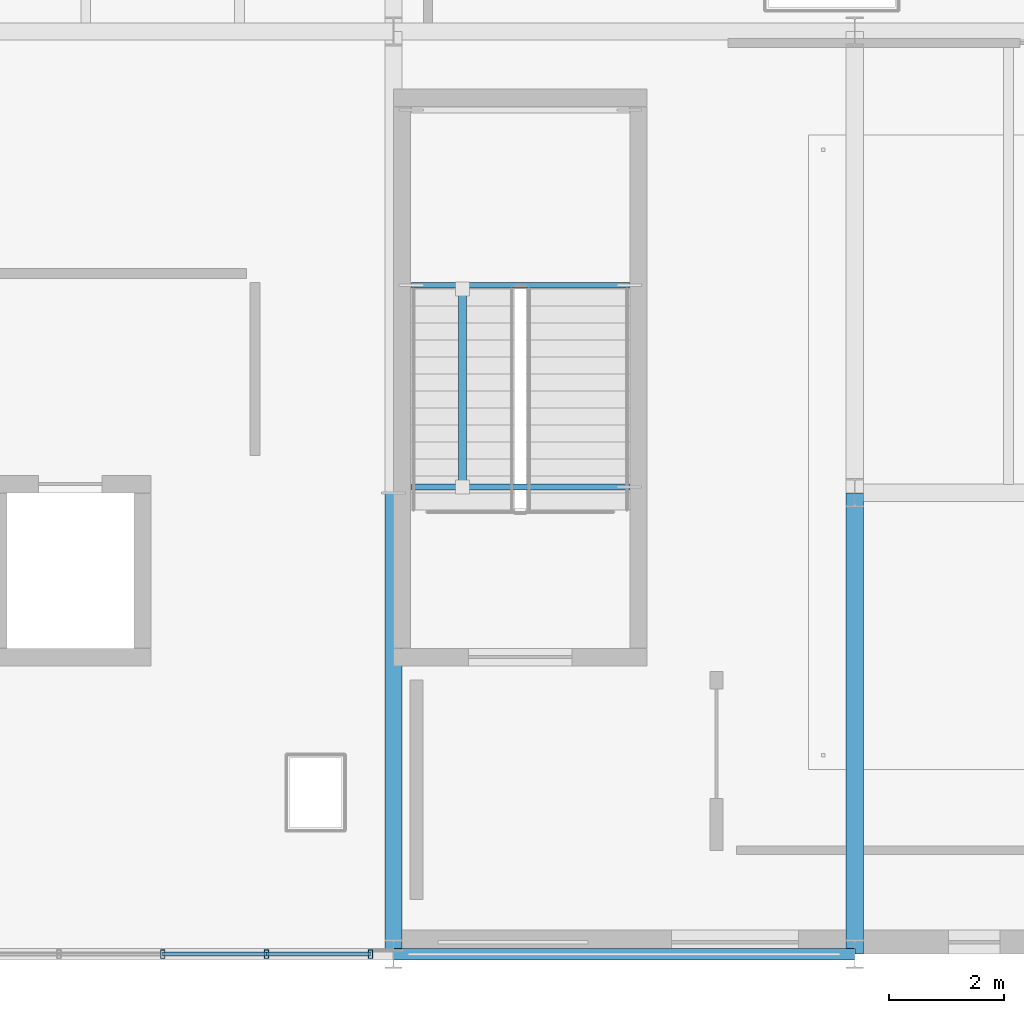
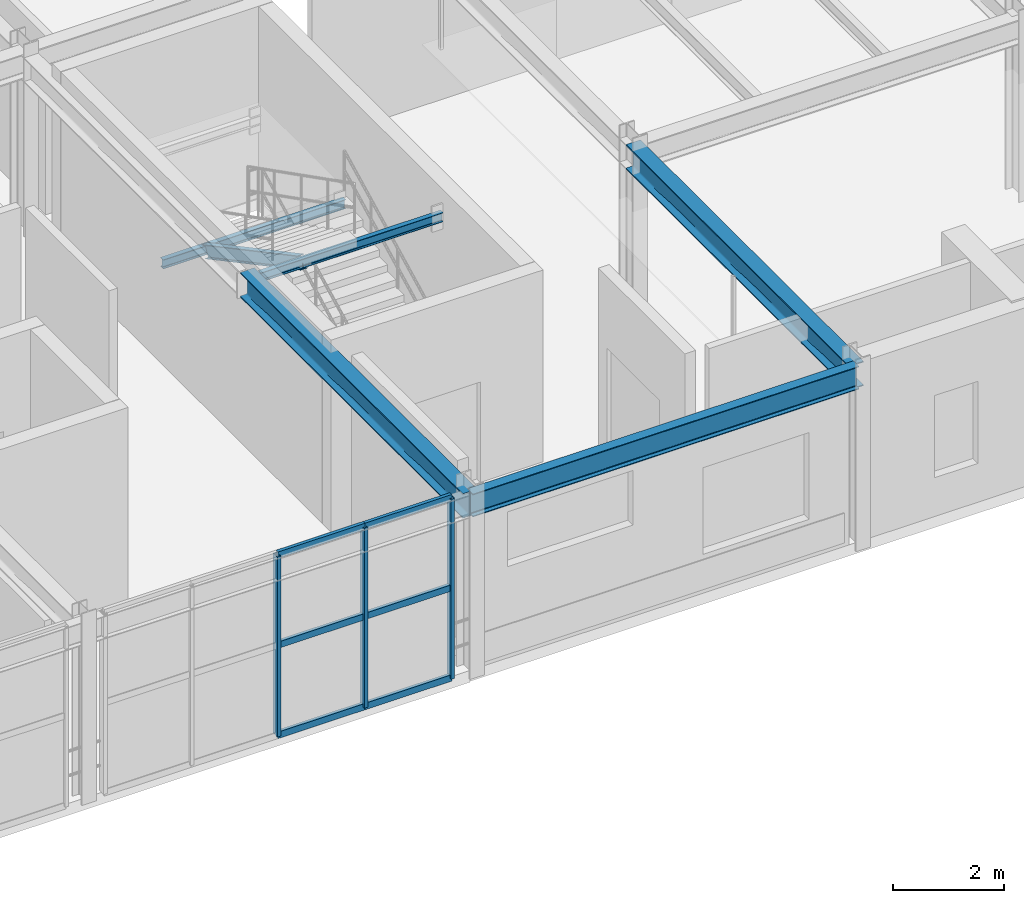
# One storey, part 28 of 122: 10 members, 5 beams, 1 element without a shape of its own.
"""IFC4 building model written with IfcOpenShell, lengths in metres."""

from ifc_helpers import new_model, si_unit, direction, frame, origin, origin_2d, place, context, subcontext, project, spatial, hollow_rectangle, i_section, extrude, material, material_profile, profile_set, type_object, element, aggregate, save


model = new_model("IFC4")

# Units and contexts
model_context = context("Model", 3, precision=1e-05, world=origin(), true_north=direction((0.0, 1.0)))
body_context = subcontext(model_context, "Body", "Model", "MODEL_VIEW")
ifc_project = project(units=[si_unit("LENGTHUNIT", "METRE"), si_unit("AREAUNIT", "SQUARE_METRE"), si_unit("VOLUMEUNIT", "CUBIC_METRE"), si_unit("PLANEANGLEUNIT", "RADIAN"), si_unit("MASSUNIT", "GRAM", prefix="KILO")], contexts=[model_context])

# Site, building, storey
site_placement = place(None, origin())
site = spatial("IfcSite", under=ifc_project, at=site_placement, CompositionType="ELEMENT")
building_placement = place(site_placement, origin())
building = spatial("IfcBuilding", under=site, at=building_placement, Name="Sundkrona Museum", CompositionType="ELEMENT")
storey_placement = place(building_placement, frame((0.0, 0.0, 5.39990234375)))
storey = spatial("IfcBuildingStorey", under=building, at=storey_placement, Name="L01", CompositionType="ELEMENT", Elevation=5.39990234375)

# Beams
ifc_material_1 = material(Name="Steel S355J2", Category="steel")
ifc_material_profile_1 = material_profile(ifc_material_1, i_section(OverallWidth=0.300048828125, OverallDepth=0.5400390625, WebThickness=0.012451171875, FlangeThickness=0.02392578125, FilletRadius=0.027099609375, at=origin_2d()), Name="HEA 550")
ifc_profile_set_1 = profile_set([ifc_material_profile_1], Name="Steel S355J2")
beam_type_1 = type_object("IfcBeamType", Name="B-HEA550", PredefinedType="BEAM", material=ifc_profile_set_1)
for number, where, z_axis, x_axis, name in (
    (1, (120.0, 0.0, 3.650146484375), (0.0, 1.0, 0.0), (-1.0, 0.0, 0.0), "L01 Girder Y-1042"),
    (2, (128.0, 0.0, 3.650146484375), (0.0, 1.0, 0.0), (-1.0, 0.0, 0.0), "L01 Girder Y-1049"),
):
    element("IfcBeam", number, at=place(storey_placement, frame(where, z_axis=z_axis, x_axis=x_axis)), inside=storey, type_object=beam_type_1, Name=name, PredefinedType="BEAM", context=body_context, shape_type="SweptSolid", body=[
        extrude(i_section(OverallWidth=0.300048828125, OverallDepth=0.5400390625, WebThickness=0.012451171875, FlangeThickness=0.02392578125, FilletRadius=0.027099609375, at=origin_2d()), origin(), (0.0, 0.0, 1.0), 8.0),
    ])

# Member
ifc_material_profile_2 = material_profile(ifc_material_1, i_section(OverallWidth=0.135009765625, OverallDepth=0.27001953125, WebThickness=0.006591796875, FlangeThickness=0.01025390625, FilletRadius=0.014892578125, at=origin_2d()), Name="IPE 270")
ifc_profile_set_2 = profile_set([ifc_material_profile_2], Name="Steel S355J2")
member_type_1 = type_object("IfcMemberType", Name="BR-IPE270", PredefinedType="BRACE", material=ifc_profile_set_2)
member_1_placement = place(storey_placement, frame((121.199951171875, 11.534912109375, 1.780029296875), z_axis=(0.0, -0.882182779908, 0.470907148846), x_axis=(1.0, 0.0, 0.0)))
element("IfcMember", 3, at=member_1_placement, inside=storey, type_object=member_type_1, Name="SRK-1 L01 ST-2 Flight 2 Inclined Carriage Raker", PredefinedType="BRACE", context=body_context, shape_type="SweptSolid", body=[
    extrude(i_section(OverallWidth=0.135009765625, OverallDepth=0.27001953125, WebThickness=0.006591796875, FlangeThickness=0.01025390625, FilletRadius=0.014892578125, at=origin_2d()), origin(), (0.0, 0.0, 1.0), 3.8935546875),
])

# Beams
ifc_material_profile_3 = material_profile(ifc_material_1, i_section(OverallWidth=0.10009765625, OverallDepth=0.199951171875, WebThickness=0.005615234375, FlangeThickness=0.008544921875, FilletRadius=0.011962890625, at=origin_2d()), Name="IPE 200")
ifc_profile_set_3 = profile_set([ifc_material_profile_3], Name="Steel S355J2")
beam_type_2 = type_object("IfcBeamType", Name="J-IPE200", PredefinedType="JOIST", material=ifc_profile_set_3)
for number, where, z_axis, x_axis, name in (
    (4, (120.31005859375, 11.598388671875, 1.780029296875), (1.0, 0.0, 0.0), (0.0, 1.0, 0.0), "L01 ST-2 Mid-Landing Trimmer Beam 1A"),
    (5, (120.31005859375, 8.10009765625, 3.613525390625), (1.0, 0.0, 0.0), (0.0, 1.0, 0.0), "L01 ST-2 Flight 2 Arrival Header Beam"),
):
    element("IfcBeam", number, at=place(storey_placement, frame(where, z_axis=z_axis, x_axis=x_axis)), inside=storey, type_object=beam_type_2, Name=name, PredefinedType="JOIST", context=body_context, shape_type="SweptSolid", body=[
        extrude(i_section(OverallWidth=0.10009765625, OverallDepth=0.199951171875, WebThickness=0.005615234375, FlangeThickness=0.008544921875, FilletRadius=0.011962890625, at=origin_2d()), origin(), (0.0, 0.0, 1.0), 3.780029296875),
    ])

# Curtain wall, members
ifc_material_2 = material(Name="Unitised Aluminium-Steel and Ceramic-Clad Curtain Walling", Category="steel")
curtain_wall_type = type_object("IfcCurtainWallType", Name="CW-AT-72x38", PredefinedType="NOTDEFINED", material=ifc_material_2)
curtain_wall_placement = place(storey_placement, origin())
curtain_wall = element("IfcCurtainWall", 6, at=curtain_wall_placement, inside=storey, type_object=curtain_wall_type, Name="L01 Curtain Wall CW-L01-032", PredefinedType="NOTDEFINED")
ifc_material_3 = material(Name="Aluminium EN AW-6060 T66", Category="aluminium")
ifc_material_profile_4 = material_profile(ifc_material_3, hollow_rectangle(XDim=0.074951171875, YDim=0.14990234375, WallThickness=0.00634765625, at=origin_2d()), Name="RHS 150x75x6.3")
ifc_profile_set_4 = profile_set([ifc_material_profile_4], Name="Aluminium EN AW-6060 T66")
member_type_2 = type_object("IfcMemberType", Name="ML-150", PredefinedType="MULLION", material=ifc_profile_set_4)
member_2_placement = place(storey_placement, frame((116.0, 0.0, -0.00390625), z_axis=(0.0, 0.0, 1.0), x_axis=(1.0, 0.0, 0.0)))
member_2 = element("IfcMember", 7, at=member_2_placement, type_object=member_type_2, Name="CW-L01-032 Mullion 03", PredefinedType="MULLION", context=body_context, shape_type="SweptSolid", body=[
    extrude(hollow_rectangle(XDim=0.074951171875, YDim=0.14990234375, WallThickness=0.00634765625, at=origin_2d()), origin(), (0.0, 0.0, 1.0), 3.947998046875),
])
member_3_placement = place(storey_placement, frame((117.800048828125, 0.0, -0.00390625), z_axis=(0.0, 0.0, 1.0), x_axis=(1.0, 0.0, 0.0)))
member_3 = element("IfcMember", 8, at=member_3_placement, type_object=member_type_2, Name="CW-L01-032 Mullion 04", PredefinedType="MULLION", context=body_context, shape_type="SweptSolid", body=[
    extrude(hollow_rectangle(XDim=0.074951171875, YDim=0.14990234375, WallThickness=0.00634765625, at=origin_2d()), origin(), (0.0, 0.0, 1.0), 3.947998046875),
])
member_4_placement = place(storey_placement, frame((119.60009765625, 0.0, -0.00390625), z_axis=(0.0, 0.0, 1.0), x_axis=(1.0, 0.0, 0.0)))
member_4 = element("IfcMember", 9, at=member_4_placement, type_object=member_type_2, Name="CW-L01-032 Mullion 05", PredefinedType="MULLION", context=body_context, shape_type="SweptSolid", body=[
    extrude(hollow_rectangle(XDim=0.074951171875, YDim=0.14990234375, WallThickness=0.00634765625, at=origin_2d()), origin(), (0.0, 0.0, 1.0), 3.947998046875),
])

# Beam
ifc_material_profile_5 = material_profile(ifc_material_1, i_section(OverallWidth=0.199951171875, OverallDepth=0.5, WebThickness=0.01025390625, FlangeThickness=0.01611328125, FilletRadius=0.02099609375, at=origin_2d()), Name="IPE 500")
ifc_profile_set_5 = profile_set([ifc_material_profile_5], Name="Steel S355J2")
beam_type_3 = type_object("IfcBeamType", Name="SP-IPE500", PredefinedType="SPANDREL", material=ifc_profile_set_5)
beam_placement = place(storey_placement, frame((120.0, 0.0, 3.670166015625), z_axis=(1.0, 0.0, 0.0), x_axis=(0.0, 1.0, 0.0)))
element("IfcBeam", 10, at=beam_placement, inside=storey, type_object=beam_type_3, Name="L01 Girder X-0813", PredefinedType="SPANDREL", context=body_context, shape_type="SweptSolid", body=[
    extrude(i_section(OverallWidth=0.199951171875, OverallDepth=0.5, WebThickness=0.01025390625, FlangeThickness=0.01611328125, FilletRadius=0.02099609375, at=origin_2d()), origin(), (0.0, 0.0, 1.0), 8.0),
])

# Member
ifc_material_profile_6 = material_profile(ifc_material_3, hollow_rectangle(XDim=0.070068359375, YDim=0.139892578125, WallThickness=0.0048828125, at=origin_2d()), Name="RHS 140x70x5.0")
ifc_profile_set_6 = profile_set([ifc_material_profile_6], Name="Aluminium EN AW-6060 T66")
member_type_3 = type_object("IfcMemberType", Name="TR-140", PredefinedType="USERDEFINED", material=ifc_profile_set_6)
member_5_placement = place(storey_placement, frame((116.0, 0.0, -0.00390625), z_axis=(1.0, 0.0, 0.0), x_axis=(0.0, 1.0, 0.0)))
member_5 = element("IfcMember", 11, at=member_5_placement, type_object=member_type_3, Name="CW-L01-032 Transom 07", ObjectType="TRANSOM", PredefinedType="USERDEFINED", context=body_context, shape_type="SweptSolid", body=[
    extrude(hollow_rectangle(XDim=0.070068359375, YDim=0.139892578125, WallThickness=0.0048828125, at=origin_2d()), origin(), (0.0, 0.0, 1.0), 1.800048828125),
])

member_6_placement = place(storey_placement, frame((116.0, 0.0, 1.97021484375), z_axis=(1.0, 0.0, 0.0), x_axis=(0.0, 1.0, 0.0)))
member_6 = element("IfcMember", 12, at=member_6_placement, type_object=member_type_3, Name="CW-L01-032 Transom 08", ObjectType="TRANSOM", PredefinedType="USERDEFINED", context=body_context, shape_type="SweptSolid", body=[
    extrude(hollow_rectangle(XDim=0.070068359375, YDim=0.139892578125, WallThickness=0.0048828125, at=origin_2d()), origin(), (0.0, 0.0, 1.0), 1.800048828125),
])

member_7_placement = place(storey_placement, frame((116.0, 0.0, 3.944091796875), z_axis=(1.0, 0.0, 0.0), x_axis=(0.0, 1.0, 0.0)))
member_7 = element("IfcMember", 13, at=member_7_placement, type_object=member_type_3, Name="CW-L01-032 Transom 09", ObjectType="TRANSOM", PredefinedType="USERDEFINED", context=body_context, shape_type="SweptSolid", body=[
    extrude(hollow_rectangle(XDim=0.070068359375, YDim=0.139892578125, WallThickness=0.0048828125, at=origin_2d()), origin(), (0.0, 0.0, 1.0), 1.800048828125),
])

member_8_placement = place(storey_placement, frame((117.800048828125, 0.0, -0.00390625), z_axis=(1.0, 0.0, 0.0), x_axis=(0.0, 1.0, 0.0)))
member_8 = element("IfcMember", 14, at=member_8_placement, type_object=member_type_3, Name="CW-L01-032 Transom 10", ObjectType="TRANSOM", PredefinedType="USERDEFINED", context=body_context, shape_type="SweptSolid", body=[
    extrude(hollow_rectangle(XDim=0.070068359375, YDim=0.139892578125, WallThickness=0.0048828125, at=origin_2d()), origin(), (0.0, 0.0, 1.0), 1.800048828125),
])

member_9_placement = place(storey_placement, frame((117.800048828125, 0.0, 1.97021484375), z_axis=(1.0, 0.0, 0.0), x_axis=(0.0, 1.0, 0.0)))
member_9 = element("IfcMember", 15, at=member_9_placement, type_object=member_type_3, Name="CW-L01-032 Transom 11", ObjectType="TRANSOM", PredefinedType="USERDEFINED", context=body_context, shape_type="SweptSolid", body=[
    extrude(hollow_rectangle(XDim=0.070068359375, YDim=0.139892578125, WallThickness=0.0048828125, at=origin_2d()), origin(), (0.0, 0.0, 1.0), 1.800048828125),
])

member_10_placement = place(storey_placement, frame((117.800048828125, 0.0, 3.944091796875), z_axis=(1.0, 0.0, 0.0), x_axis=(0.0, 1.0, 0.0)))
member_10 = element("IfcMember", 16, at=member_10_placement, type_object=member_type_3, Name="CW-L01-032 Transom 12", ObjectType="TRANSOM", PredefinedType="USERDEFINED", context=body_context, shape_type="SweptSolid", body=[
    extrude(hollow_rectangle(XDim=0.070068359375, YDim=0.139892578125, WallThickness=0.0048828125, at=origin_2d()), origin(), (0.0, 0.0, 1.0), 1.800048828125),
])

aggregate(curtain_wall, [member_2, member_3, member_4, member_5, member_6, member_7, member_8, member_9, member_10])

save(model, "model.ifc")
